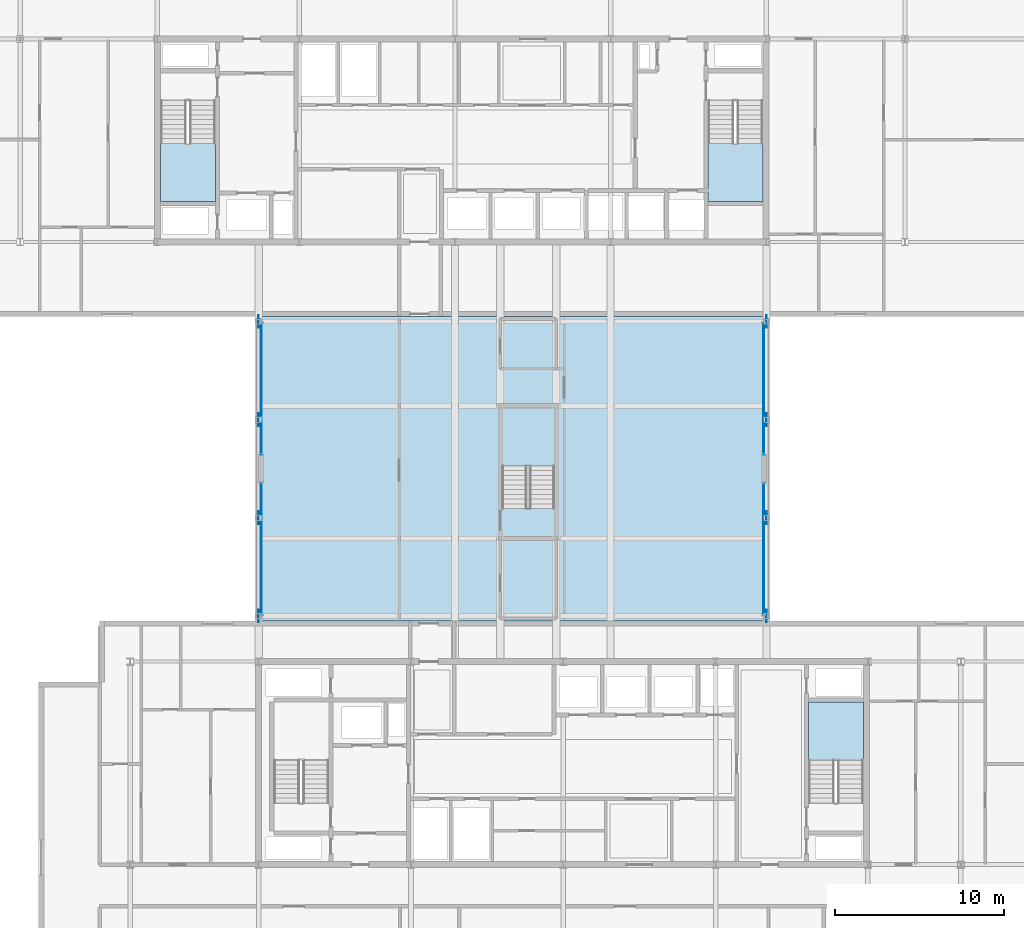
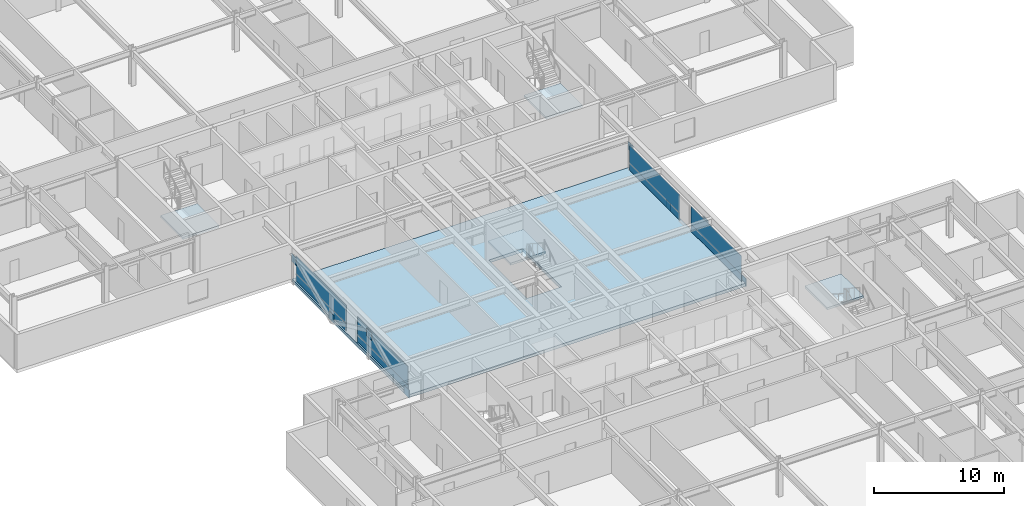
# One storey, part 15 of 35: 16 plates, 5 slabs, 8 elements without a shape of their own.
"""IFC4 building model written with IfcOpenShell, lengths in metres."""

from ifc_helpers import new_model, si_unit, direction, frame, origin, origin_2d, place, context, subcontext, project, spatial, polyline, rectangle, outline, extrude, material, layer, layer_set, type_object, element, aggregate, save


model = new_model("IFC4")

# Units and contexts
model_context = context("Model", 3, precision=1e-05, world=origin(), true_north=direction((0.0, 1.0)))
body_context = subcontext(model_context, "Body", "Model", "MODEL_VIEW")
ifc_project = project(units=[si_unit("LENGTHUNIT", "METRE"), si_unit("AREAUNIT", "SQUARE_METRE"), si_unit("VOLUMEUNIT", "CUBIC_METRE"), si_unit("PLANEANGLEUNIT", "RADIAN"), si_unit("MASSUNIT", "GRAM", prefix="KILO")], contexts=[model_context])

# Site, building, storey
site_placement = place(None, origin())
site = spatial("IfcSite", under=ifc_project, at=site_placement, CompositionType="ELEMENT")
building_placement = place(site_placement, origin())
building = spatial("IfcBuilding", under=site, at=building_placement, Name="Korimba Cascade Residences", CompositionType="ELEMENT")
storey_placement = place(building_placement, frame((0.0, 0.0, 150.10009765625)))
storey = spatial("IfcBuildingStorey", under=building, at=storey_placement, Name="L43", CompositionType="ELEMENT", Elevation=150.10009765625)

# Curtain wall, plate
ifc_material_1 = material(Name="Anodised Aluminium Curtain Wall Framing", Category="aluminium")
ifc_layer_1 = layer(ifc_material_1, 0.179931640625)
ifc_layer_set_1 = layer_set([ifc_layer_1], Name="Anodised Aluminium Curtain Wall Framing")
curtain_wall_type = type_object("IfcCurtainWallType", Name="CW-OBS-SYS4", PredefinedType="NOTDEFINED", material=ifc_layer_set_1)
curtain_wall_1_placement = place(storey_placement, origin())
curtain_wall_1 = element("IfcCurtainWall", 1, at=curtain_wall_1_placement, inside=storey, type_object=curtain_wall_type, Name="L43 Curtain Wall CW-L43-BRG-W1", PredefinedType="NOTDEFINED")
ifc_material_2 = material(Name="Insulated Stone-Tone Spandrel Panel", Category="masonry")
ifc_layer_2 = layer(ifc_material_2, 0.0400390625)
ifc_layer_set_2 = layer_set([ifc_layer_2], Name="Insulated Stone-Tone Spandrel Panel")
plate_type_1 = type_object("IfcPlateType", Name="CWP-SPN-40", PredefinedType="USERDEFINED", material=ifc_layer_set_2)
plate_1_placement = place(storey_placement, frame((82.25, 37.050048828125, -0.000244140625), z_axis=(0.0, 0.0, 1.0), x_axis=(0.0, 1.0, 0.0)))
plate_1 = element("IfcPlate", 2, at=plate_1_placement, type_object=plate_type_1, Name="CW-L43-BRG-W1 Spandrel Panel 1", ObjectType="SPANDREL", PredefinedType="USERDEFINED", context=body_context, shape_type="SweptSolid", body=[
    extrude(rectangle(XDim=7.77001953125, YDim=0.0400390625, at=origin_2d()), origin(), (0.0, 0.0, 1.0), 0.66650390625),
])

curtain_wall_2_placement = place(storey_placement, origin())
curtain_wall_2 = element("IfcCurtainWall", 3, at=curtain_wall_2_placement, inside=storey, type_object=curtain_wall_type, Name="L43 Curtain Wall CW-L43-BRG-W2", PredefinedType="NOTDEFINED")
plate_2_placement = place(storey_placement, frame((82.25, 46.550048828125, -0.000244140625), z_axis=(0.0, 0.0, 1.0), x_axis=(0.0, 1.0, 0.0)))
plate_2 = element("IfcPlate", 4, at=plate_2_placement, type_object=plate_type_1, Name="CW-L43-BRG-W2 Spandrel Panel 1", ObjectType="SPANDREL", PredefinedType="USERDEFINED", context=body_context, shape_type="SweptSolid", body=[
    extrude(rectangle(XDim=7.77001953125, YDim=0.0400390625, at=origin_2d()), origin(), (0.0, 0.0, 1.0), 0.66650390625),
])

curtain_wall_3_placement = place(storey_placement, origin())
curtain_wall_3 = element("IfcCurtainWall", 5, at=curtain_wall_3_placement, inside=storey, type_object=curtain_wall_type, Name="L43 Curtain Wall CW-L43-BRG-E1", PredefinedType="NOTDEFINED")
plate_3_placement = place(storey_placement, frame((111.949951171875, 37.050048828125, -0.000244140625), z_axis=(0.0, 0.0, 1.0), x_axis=(0.0, 1.0, 0.0)))
plate_3 = element("IfcPlate", 6, at=plate_3_placement, type_object=plate_type_1, Name="CW-L43-BRG-E1 Spandrel Panel 1", ObjectType="SPANDREL", PredefinedType="USERDEFINED", context=body_context, shape_type="SweptSolid", body=[
    extrude(rectangle(XDim=7.77001953125, YDim=0.0400390625, at=origin_2d()), origin(), (0.0, 0.0, 1.0), 0.66650390625),
])

curtain_wall_4_placement = place(storey_placement, origin())
curtain_wall_4 = element("IfcCurtainWall", 7, at=curtain_wall_4_placement, inside=storey, type_object=curtain_wall_type, Name="L43 Curtain Wall CW-L43-BRG-E2", PredefinedType="NOTDEFINED")
plate_4_placement = place(storey_placement, frame((111.949951171875, 46.550048828125, -0.000244140625), z_axis=(0.0, 0.0, 1.0), x_axis=(0.0, 1.0, 0.0)))
plate_4 = element("IfcPlate", 8, at=plate_4_placement, type_object=plate_type_1, Name="CW-L43-BRG-E2 Spandrel Panel 1", ObjectType="SPANDREL", PredefinedType="USERDEFINED", context=body_context, shape_type="SweptSolid", body=[
    extrude(rectangle(XDim=7.77001953125, YDim=0.0400390625, at=origin_2d()), origin(), (0.0, 0.0, 1.0), 0.66650390625),
])

# Plate
ifc_material_3 = material(Name="Low-E Double Glazing Unit", Category="glass")
ifc_layer_3 = layer(ifc_material_3, 0.028076171875)
ifc_layer_set_3 = layer_set([ifc_layer_3], Name="Low-E Double Glazing Unit")
plate_type_2 = type_object("IfcPlateType", Name="CWP-VIS-28", PredefinedType="CURTAIN_PANEL", material=ifc_layer_set_3)
plate_5_placement = place(storey_placement, frame((82.25, 37.050048828125, 0.66650390625), z_axis=(0.0, 0.0, 1.0), x_axis=(0.0, 1.0, 0.0)))
plate_5 = element("IfcPlate", 9, at=plate_5_placement, type_object=plate_type_2, Name="CW-L43-BRG-W1 Vision Glass Panel 1", PredefinedType="CURTAIN_PANEL", context=body_context, shape_type="SweptSolid", body=[
    extrude(rectangle(XDim=7.77001953125, YDim=0.028076171875, at=origin_2d()), origin(), (0.0, 0.0, 1.0), 1.713623046875),
])

aggregate(curtain_wall_1, [plate_1, plate_5])

plate_6_placement = place(storey_placement, frame((82.25, 46.550048828125, 0.66650390625), z_axis=(0.0, 0.0, 1.0), x_axis=(0.0, 1.0, 0.0)))
plate_6 = element("IfcPlate", 10, at=plate_6_placement, type_object=plate_type_2, Name="CW-L43-BRG-W2 Vision Glass Panel 1", PredefinedType="CURTAIN_PANEL", context=body_context, shape_type="SweptSolid", body=[
    extrude(rectangle(XDim=7.77001953125, YDim=0.028076171875, at=origin_2d()), origin(), (0.0, 0.0, 1.0), 1.713623046875),
])

aggregate(curtain_wall_2, [plate_2, plate_6])

plate_7_placement = place(storey_placement, frame((111.949951171875, 37.050048828125, 0.66650390625), z_axis=(0.0, 0.0, 1.0), x_axis=(0.0, 1.0, 0.0)))
plate_7 = element("IfcPlate", 11, at=plate_7_placement, type_object=plate_type_2, Name="CW-L43-BRG-E1 Vision Glass Panel 1", PredefinedType="CURTAIN_PANEL", context=body_context, shape_type="SweptSolid", body=[
    extrude(rectangle(XDim=7.77001953125, YDim=0.028076171875, at=origin_2d()), origin(), (0.0, 0.0, 1.0), 1.713623046875),
])

aggregate(curtain_wall_3, [plate_3, plate_7])

plate_8_placement = place(storey_placement, frame((111.949951171875, 46.550048828125, 0.66650390625), z_axis=(0.0, 0.0, 1.0), x_axis=(0.0, 1.0, 0.0)))
plate_8 = element("IfcPlate", 12, at=plate_8_placement, type_object=plate_type_2, Name="CW-L43-BRG-E2 Vision Glass Panel 1", PredefinedType="CURTAIN_PANEL", context=body_context, shape_type="SweptSolid", body=[
    extrude(rectangle(XDim=7.77001953125, YDim=0.028076171875, at=origin_2d()), origin(), (0.0, 0.0, 1.0), 1.713623046875),
])

aggregate(curtain_wall_4, [plate_4, plate_8])

# Plates
ifc_material_4 = material(Name="Steel S460", Category="steel")
ifc_layer_4 = layer(ifc_material_4, 0.031982421875)
ifc_layer_set_4 = layer_set([ifc_layer_4], Name="Steel S460")
plate_type_3 = type_object("IfcPlateType", Name="PLT-GUSSET-32", PredefinedType="USERDEFINED", material=ifc_layer_set_4)
for number, where, z_axis, x_axis, name in (
    (13, (82.10009765625, 33.10009765625, -0.28515625), (0.0, 0.0, 1.0), (1.0, 0.0, 0.0), "L43 Warren Truss Node Gusset Plate MBN1 W1"),
    (14, (82.10009765625, 38.89990234375, 1.6337890625), (0.0, 0.0, 1.0), (1.0, 0.0, 0.0), "L43 Warren Truss Node Gusset Plate MBN1 W2"),
    (15, (82.10009765625, 44.699951171875, -0.28515625), (0.0, 0.0, 1.0), (1.0, 0.0, 0.0), "L43 Warren Truss Node Gusset Plate MBN1 W3"),
    (16, (82.10009765625, 50.5, 1.6337890625), (0.0, 0.0, 1.0), (1.0, 0.0, 0.0), "L43 Warren Truss Node Gusset Plate MBN1 W4"),
    (17, (112.10009765625, 33.10009765625, -0.28515625), (0.0, 0.0, 1.0), (1.0, 0.0, 0.0), "L43 Warren Truss Node Gusset Plate MBN1 E1"),
    (18, (112.10009765625, 38.89990234375, 1.6337890625), (0.0, 0.0, 1.0), (1.0, 0.0, 0.0), "L43 Warren Truss Node Gusset Plate MBN1 E2"),
    (19, (112.10009765625, 44.699951171875, -0.28515625), (0.0, 0.0, 1.0), (1.0, 0.0, 0.0), "L43 Warren Truss Node Gusset Plate MBN1 E3"),
    (20, (112.10009765625, 50.5, 1.6337890625), (0.0, 0.0, 1.0), (1.0, 0.0, 0.0), "L43 Warren Truss Node Gusset Plate MBN1 E4"),
):
    element("IfcPlate", number, at=place(storey_placement, frame(where, z_axis=z_axis, x_axis=x_axis)), inside=storey, type_object=plate_type_3, Name=name, ObjectType="GUSSET PLATE", PredefinedType="USERDEFINED", context=body_context, shape_type="SweptSolid", body=[
        extrude(rectangle(XDim=0.031982421875, YDim=0.75, at=origin_2d()), origin(), (0.0, 0.0, 1.0), 0.75),
    ])

# Slab
ifc_material_5 = material(Name="Concrete C65/80", Category="concrete")
ifc_layer_5 = layer(ifc_material_5, 0.2900390625)
ifc_layer_set_5 = layer_set([ifc_layer_5], Name="Concrete C65/80")
slab_type_1 = type_object("IfcSlabType", Name="SLB-BRG-310", PredefinedType="FLOOR", material=ifc_layer_set_5)
slab_1_placement = place(storey_placement, frame((0.0, 0.0, -0.2900390625)))
element("IfcSlab", 21, at=slab_1_placement, inside=storey, type_object=slab_type_1, Name="L43 Mid-Bridge Floor Slab", PredefinedType="FLOOR", context=body_context, shape_type="SweptSolid", body=[
    extrude(outline(polyline([(82.10009765625, 32.800048828125), (112.10009765625, 32.800048828125), (112.10009765625, 50.800048828125), (82.10009765625, 50.800048828125), (82.10009765625, 32.800048828125)]), holes=[polyline([(99.56005859375, 39.485107421875), (99.56005859375, 45.39990234375), (96.5, 45.39990234375), (96.5, 39.485107421875), (99.56005859375, 39.485107421875)])]), origin(), (0.0, 0.0, 1.0), 0.2900390625),
])

# Stair, slab
ifc_material_6 = material(Name="Concrete C50/60", Category="concrete")
stair_type_1 = type_object("IfcStairType", Name="STR-W1-20R-1800", PredefinedType="HALF_TURN_STAIR", material=ifc_material_6)
stair_1_placement = place(storey_placement, origin())
stair_1 = element("IfcStair", 22, at=stair_1_placement, inside=storey, type_object=stair_type_1, Name="L43 Tower 1 West Fire Stair ST-W1", PredefinedType="HALF_TURN_STAIR")
ifc_layer_6 = layer(ifc_material_6, 0.199951171875)
ifc_layer_set_6 = layer_set([ifc_layer_6], Name="Concrete C50/60")
slab_type_2 = type_object("IfcSlabType", Name="SLB-LND-220", PredefinedType="LANDING", material=ifc_layer_set_6)
slab_2_placement = place(storey_placement, frame((0.0, 0.0, 1.599853515625)))
slab_2 = element("IfcSlab", 23, at=slab_2_placement, type_object=slab_type_2, Name="ST-W1 landing 1", PredefinedType="LANDING", context=body_context, shape_type="SweptSolid", body=[
    extrude(outline(polyline([(76.300048828125, 61.030029296875), (76.300048828125, 57.60009765625), (79.5400390625, 57.60009765625), (79.5400390625, 61.030029296875), (76.300048828125, 61.030029296875)])), origin(), (0.0, 0.0, 1.0), 0.199951171875),
])
aggregate(stair_1, [slab_2])

stair_type_2 = type_object("IfcStairType", Name="STR-W2-20R-1800", PredefinedType="HALF_TURN_STAIR", material=ifc_material_6)
stair_2_placement = place(storey_placement, origin())
stair_2 = element("IfcStair", 24, at=stair_2_placement, inside=storey, type_object=stair_type_2, Name="L43 Tower 1 East Fire Stair ST-W2", PredefinedType="HALF_TURN_STAIR")
slab_3_placement = place(storey_placement, frame((0.0, 0.0, 1.599853515625)))
slab_3 = element("IfcSlab", 25, at=slab_3_placement, type_object=slab_type_2, Name="ST-W2 landing 1", PredefinedType="LANDING", context=body_context, shape_type="SweptSolid", body=[
    extrude(outline(polyline([(108.659912109375, 61.030029296875), (108.659912109375, 57.60009765625), (111.89990234375, 57.60009765625), (111.89990234375, 61.030029296875), (108.659912109375, 61.030029296875)])), origin(), (0.0, 0.0, 1.0), 0.199951171875),
])
aggregate(stair_2, [slab_3])

stair_type_3 = type_object("IfcStairType", Name="STR-E2-20R-1800", PredefinedType="HALF_TURN_STAIR", material=ifc_material_6)
stair_3_placement = place(storey_placement, origin())
stair_3 = element("IfcStair", 26, at=stair_3_placement, inside=storey, type_object=stair_type_3, Name="L43 Tower 2 East Fire Stair ST-E2", PredefinedType="HALF_TURN_STAIR")
slab_4_placement = place(storey_placement, frame((0.0, 0.0, 1.599853515625)))
slab_4 = element("IfcSlab", 27, at=slab_4_placement, type_object=slab_type_2, Name="ST-E2 landing 1", PredefinedType="LANDING", context=body_context, shape_type="SweptSolid", body=[
    extrude(outline(polyline([(117.840087890625, 24.570068359375), (117.840087890625, 28.0), (114.60009765625, 28.0), (114.60009765625, 24.570068359375), (117.840087890625, 24.570068359375)])), origin(), (0.0, 0.0, 1.0), 0.199951171875),
])
aggregate(stair_3, [slab_4])

stair_type_4 = type_object("IfcStairType", Name="STR-BR1-20R-1800", PredefinedType="HALF_TURN_STAIR", material=ifc_material_6)
stair_4_placement = place(storey_placement, origin())
stair_4 = element("IfcStair", 28, at=stair_4_placement, inside=storey, type_object=stair_type_4, Name="L43 Mid-Bridge Feature Stair ST-BR1", PredefinedType="HALF_TURN_STAIR")
slab_5_placement = place(storey_placement, frame((0.0, 0.0, 1.599853515625)))
slab_5 = element("IfcSlab", 29, at=slab_5_placement, type_object=slab_type_2, Name="ST-BR1 landing 1", PredefinedType="LANDING", context=body_context, shape_type="SweptSolid", body=[
    extrude(outline(polyline([(96.4619140625, 41.969970703125), (99.597900390625, 41.969970703125), (99.597900390625, 45.43798828125), (96.4619140625, 45.43798828125), (96.4619140625, 41.969970703125)])), origin(), (0.0, 0.0, 1.0), 0.199951171875),
])
aggregate(stair_4, [slab_5])

save(model, "model.ifc")
